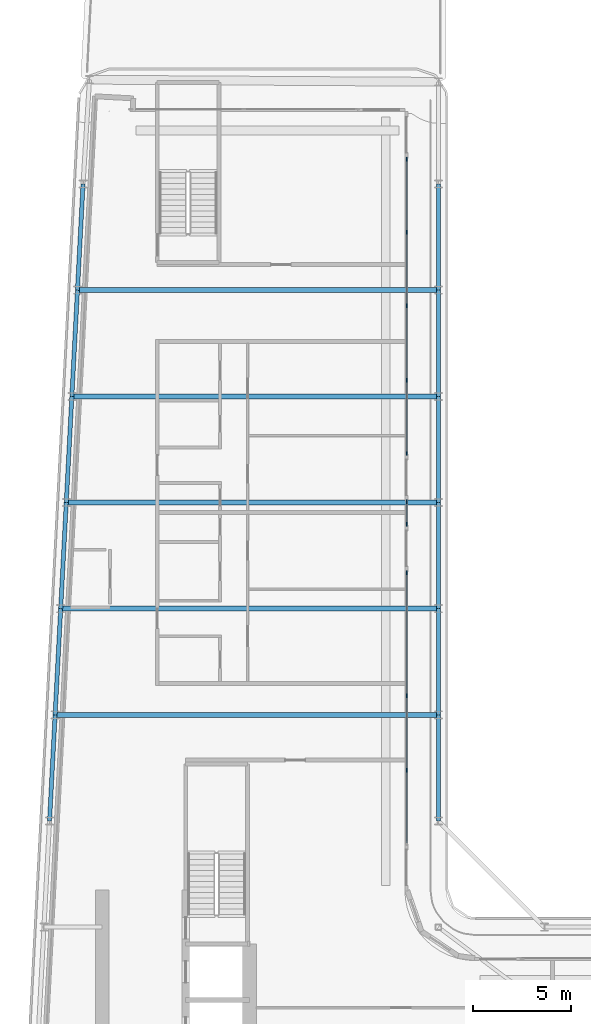
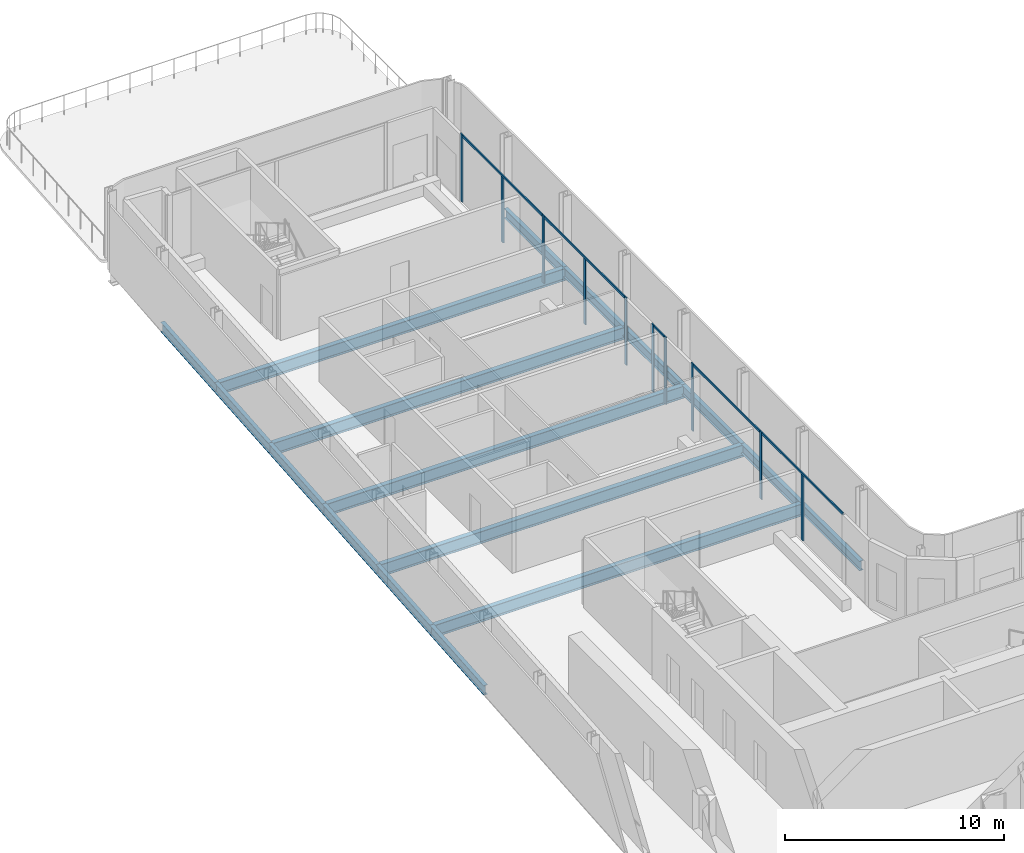
# One storey, part 6 of 22: 17 beams, 15 members, 5 elements without a shape of their own.
"""IFC4 building model written with IfcOpenShell, lengths in metres."""

from ifc_helpers import new_model, si_unit, direction, frame, origin, origin_2d, place, context, subcontext, project, spatial, rectangle, i_section, extrude, material, layer, layer_set, material_profile, profile_set, type_object, element, aggregate, save


model = new_model("IFC4")

# Units and contexts
model_context = context("Model", 3, precision=1e-05, world=origin(), true_north=direction((0.0, 1.0)))
body_context = subcontext(model_context, "Body", "Model", "MODEL_VIEW")
ifc_project = project(units=[si_unit("LENGTHUNIT", "METRE"), si_unit("AREAUNIT", "SQUARE_METRE"), si_unit("VOLUMEUNIT", "CUBIC_METRE"), si_unit("PLANEANGLEUNIT", "RADIAN"), si_unit("MASSUNIT", "GRAM", prefix="KILO")], contexts=[model_context])

# Site, building, storey
site_placement = place(None, origin())
site = spatial("IfcSite", under=ifc_project, at=site_placement, CompositionType="ELEMENT")
building_placement = place(site_placement, origin())
building = spatial("IfcBuilding", under=site, at=building_placement, Name="Kheshtan School and Residences Tower", CompositionType="ELEMENT")
storey_placement = place(building_placement, frame((0.0, 0.0, 216.199951171875)))
storey = spatial("IfcBuildingStorey", under=building, at=storey_placement, Name="L50", CompositionType="ELEMENT", Elevation=216.199951171875)

# Beams
ifc_material_1 = material(Name="Steel ASTM A992 Grade 50", Category="steel")
ifc_material_profile_1 = material_profile(ifc_material_1, i_section(OverallWidth=0.2529296875, OverallDepth=0.677978515625, WebThickness=0.01171875, FlangeThickness=0.016357421875, FilletRadius=0.0146484375, at=origin_2d()), Name="W690x125")
ifc_profile_set_1 = profile_set([ifc_material_profile_1], Name="Steel ASTM A992 Grade 50")
beam_type_1 = type_object("IfcBeamType", Name="Beam FB6 W690x125 ASTM A992 Grade 50", PredefinedType="BEAM", material=ifc_profile_set_1)
beam_1_placement = place(storey_placement, frame((47.60009765625, 72.60009765625, -0.489013671875), z_axis=(-1.0, 0.0, 0.0), x_axis=(0.0, -1.0, 0.0)))
element("IfcBeam", 1, at=beam_1_placement, inside=storey, type_object=beam_type_1, Name="Floor beam C087", PredefinedType="BEAM", context=body_context, shape_type="SweptSolid", body=[
    extrude(i_section(OverallWidth=0.2529296875, OverallDepth=0.677978515625, WebThickness=0.01171875, FlangeThickness=0.016357421875, FilletRadius=0.0146484375, at=origin_2d()), origin(), (0.0, 0.0, 1.0), 18.64208984375),
])
beam_2_placement = place(storey_placement, frame((47.60009765625, 61.800048828125, -0.489013671875), z_axis=(-1.0, 0.0, 0.0), x_axis=(0.0, -1.0, 0.0)))
element("IfcBeam", 2, at=beam_2_placement, inside=storey, type_object=beam_type_1, Name="Floor beam C083", PredefinedType="BEAM", context=body_context, shape_type="SweptSolid", body=[
    extrude(i_section(OverallWidth=0.2529296875, OverallDepth=0.677978515625, WebThickness=0.01171875, FlangeThickness=0.016357421875, FilletRadius=0.0146484375, at=origin_2d()), origin(), (0.0, 0.0, 1.0), 19.210205078125),
])
beam_3_placement = place(storey_placement, frame((28.10595703125, 56.39990234375, -0.489013671875), z_axis=(1.0, 0.0, 0.0), x_axis=(0.0, 1.0, 0.0)))
element("IfcBeam", 3, at=beam_3_placement, inside=storey, type_object=beam_type_1, Name="Floor beam C080", PredefinedType="BEAM", context=body_context, shape_type="SweptSolid", body=[
    extrude(i_section(OverallWidth=0.2529296875, OverallDepth=0.677978515625, WebThickness=0.01171875, FlangeThickness=0.016357421875, FilletRadius=0.0146484375, at=origin_2d()), origin(), (0.0, 0.0, 1.0), 19.494140625),
])
beam_4_placement = place(storey_placement, frame((28.674072265625, 67.199951171875, -0.489013671875), z_axis=(1.0, 0.0, 0.0), x_axis=(0.0, 1.0, 0.0)))
element("IfcBeam", 4, at=beam_4_placement, inside=storey, type_object=beam_type_1, Name="Floor beam C084", PredefinedType="BEAM", context=body_context, shape_type="SweptSolid", body=[
    extrude(i_section(OverallWidth=0.2529296875, OverallDepth=0.677978515625, WebThickness=0.01171875, FlangeThickness=0.016357421875, FilletRadius=0.0146484375, at=origin_2d()), origin(), (0.0, 0.0, 1.0), 18.926025390625),
])
beam_5_placement = place(storey_placement, frame((29.242919921875, 78.0, -0.489013671875), z_axis=(1.0, 0.0, 0.0), x_axis=(0.0, 1.0, 0.0)))
element("IfcBeam", 5, at=beam_5_placement, inside=storey, type_object=beam_type_1, Name="Floor beam C088", PredefinedType="BEAM", context=body_context, shape_type="SweptSolid", body=[
    extrude(i_section(OverallWidth=0.2529296875, OverallDepth=0.677978515625, WebThickness=0.01171875, FlangeThickness=0.016357421875, FilletRadius=0.0146484375, at=origin_2d()), origin(), (0.0, 0.0, 1.0), 18.357177734375),
])
ifc_material_profile_2 = material_profile(ifc_material_1, i_section(OverallWidth=0.208984375, OverallDepth=0.532958984375, WebThickness=0.01025390625, FlangeThickness=0.015625, FilletRadius=0.013916015625, at=origin_2d()), Name="W530x92")
ifc_profile_set_2 = profile_set([ifc_material_profile_2], Name="Steel ASTM A992 Grade 50")
beam_type_2 = type_object("IfcBeamType", Name="Beam SP3 W530x92 ASTM A992 Grade 50", PredefinedType="BEAM", material=ifc_profile_set_2)
for number, where, z_axis, x_axis, name in (
    (6, (47.60009765625, 83.39990234375, -0.41650390625), (0.0, -1.0, 0.0), (1.0, 0.0, 0.0), "Spandrel beam C091-C089"),
    (7, (47.60009765625, 78.0, -0.41650390625), (0.0, -1.0, 0.0), (1.0, 0.0, 0.0), "Spandrel beam C089-C087"),
):
    element("IfcBeam", number, at=place(storey_placement, frame(where, z_axis=z_axis, x_axis=x_axis)), inside=storey, type_object=beam_type_2, Name=name, PredefinedType="BEAM", context=body_context, shape_type="SweptSolid", body=[
        extrude(i_section(OverallWidth=0.208984375, OverallDepth=0.532958984375, WebThickness=0.01025390625, FlangeThickness=0.015625, FilletRadius=0.013916015625, at=origin_2d()), origin(), (0.0, 0.0, 1.0), 5.39990234375),
    ])
beam_6_placement = place(storey_placement, frame((47.60009765625, 72.60009765625, -0.41650390625), z_axis=(0.0, -1.0, 0.0), x_axis=(1.0, 0.0, 0.0)))
element("IfcBeam", 8, at=beam_6_placement, inside=storey, type_object=beam_type_2, Name="Spandrel beam C087-C085", PredefinedType="BEAM", context=body_context, shape_type="SweptSolid", body=[
    extrude(i_section(OverallWidth=0.208984375, OverallDepth=0.532958984375, WebThickness=0.01025390625, FlangeThickness=0.015625, FilletRadius=0.013916015625, at=origin_2d()), origin(), (0.0, 0.0, 1.0), 5.400146484375),
])
beam_7_placement = place(storey_placement, frame((47.60009765625, 67.199951171875, -0.41650390625), z_axis=(0.0, -1.0, 0.0), x_axis=(1.0, 0.0, 0.0)))
element("IfcBeam", 9, at=beam_7_placement, inside=storey, type_object=beam_type_2, Name="Spandrel beam C085-C083", PredefinedType="BEAM", context=body_context, shape_type="SweptSolid", body=[
    extrude(i_section(OverallWidth=0.208984375, OverallDepth=0.532958984375, WebThickness=0.01025390625, FlangeThickness=0.015625, FilletRadius=0.013916015625, at=origin_2d()), origin(), (0.0, 0.0, 1.0), 5.39990234375),
])
beam_8_placement = place(storey_placement, frame((47.60009765625, 61.800048828125, -0.41650390625), z_axis=(0.0, -1.0, 0.0), x_axis=(1.0, 0.0, 0.0)))
element("IfcBeam", 10, at=beam_8_placement, inside=storey, type_object=beam_type_2, Name="Spandrel beam C083-C081", PredefinedType="BEAM", context=body_context, shape_type="SweptSolid", body=[
    extrude(i_section(OverallWidth=0.208984375, OverallDepth=0.532958984375, WebThickness=0.01025390625, FlangeThickness=0.015625, FilletRadius=0.013916015625, at=origin_2d()), origin(), (0.0, 0.0, 1.0), 5.400146484375),
])
beam_9_placement = place(storey_placement, frame((47.60009765625, 56.39990234375, -0.41650390625), z_axis=(0.0, -1.0, 0.0), x_axis=(1.0, 0.0, 0.0)))
element("IfcBeam", 11, at=beam_9_placement, inside=storey, type_object=beam_type_2, Name="Spandrel beam C081-C079", PredefinedType="BEAM", context=body_context, shape_type="SweptSolid", body=[
    extrude(i_section(OverallWidth=0.208984375, OverallDepth=0.532958984375, WebThickness=0.01025390625, FlangeThickness=0.015625, FilletRadius=0.013916015625, at=origin_2d()), origin(), (0.0, 0.0, 1.0), 5.39990234375),
])
beam_10_placement = place(storey_placement, frame((27.822021484375, 51.0, -0.41650390625), z_axis=(0.05250906864, 0.998620447272, 0.0), x_axis=(-0.998620447272, 0.05250906864, 0.0)))
element("IfcBeam", 12, at=beam_10_placement, inside=storey, type_object=beam_type_2, Name="Spandrel beam C078-C080", PredefinedType="BEAM", context=body_context, shape_type="SweptSolid", body=[
    extrude(i_section(OverallWidth=0.208984375, OverallDepth=0.532958984375, WebThickness=0.01025390625, FlangeThickness=0.015625, FilletRadius=0.013916015625, at=origin_2d()), origin(), (0.0, 0.0, 1.0), 5.407470703125),
])
beam_11_placement = place(storey_placement, frame((28.10595703125, 56.39990234375, -0.41650390625), z_axis=(0.05250670125, 0.998620571751, 0.0), x_axis=(-0.998620571751, 0.05250670125, 0.0)))
element("IfcBeam", 13, at=beam_11_placement, inside=storey, type_object=beam_type_2, Name="Spandrel beam C080-C082", PredefinedType="BEAM", context=body_context, shape_type="SweptSolid", body=[
    extrude(i_section(OverallWidth=0.208984375, OverallDepth=0.532958984375, WebThickness=0.01025390625, FlangeThickness=0.015625, FilletRadius=0.013916015625, at=origin_2d()), origin(), (0.0, 0.0, 1.0), 5.40771484375),
])
beam_12_placement = place(storey_placement, frame((28.389892578125, 61.800048828125, -0.41650390625), z_axis=(0.052554093665, 0.998618078766, 0.0), x_axis=(-0.998618078766, 0.052554093665, 0.0)))
element("IfcBeam", 14, at=beam_12_placement, inside=storey, type_object=beam_type_2, Name="Spandrel beam C082-C084", PredefinedType="BEAM", context=body_context, shape_type="SweptSolid", body=[
    extrude(i_section(OverallWidth=0.208984375, OverallDepth=0.532958984375, WebThickness=0.01025390625, FlangeThickness=0.015625, FilletRadius=0.013916015625, at=origin_2d()), origin(), (0.0, 0.0, 1.0), 5.407470703125),
])
beam_13_placement = place(storey_placement, frame((28.674072265625, 67.199951171875, -0.41650390625), z_axis=(0.05250670125, 0.998620571751, 0.0), x_axis=(-0.998620571751, 0.05250670125, 0.0)))
element("IfcBeam", 15, at=beam_13_placement, inside=storey, type_object=beam_type_2, Name="Spandrel beam C084-C086", PredefinedType="BEAM", context=body_context, shape_type="SweptSolid", body=[
    extrude(i_section(OverallWidth=0.208984375, OverallDepth=0.532958984375, WebThickness=0.01025390625, FlangeThickness=0.015625, FilletRadius=0.013916015625, at=origin_2d()), origin(), (0.0, 0.0, 1.0), 5.40771484375),
])
for number, where, z_axis, x_axis, name in (
    (16, (28.9580078125, 72.60009765625, -0.41650390625), (0.052689166816, 0.998610961136, 0.0), (-0.998610961136, 0.052689166816, 0.0), "Spandrel beam C086-C088"),
    (17, (29.242919921875, 78.0, -0.41650390625), (0.052554093665, 0.998618078766, 0.0), (-0.998618078766, 0.052554093665, 0.0), "Spandrel beam C088-C090"),
):
    element("IfcBeam", number, at=place(storey_placement, frame(where, z_axis=z_axis, x_axis=x_axis)), inside=storey, type_object=beam_type_2, Name=name, PredefinedType="BEAM", context=body_context, shape_type="SweptSolid", body=[
        extrude(i_section(OverallWidth=0.208984375, OverallDepth=0.532958984375, WebThickness=0.01025390625, FlangeThickness=0.015625, FilletRadius=0.013916015625, at=origin_2d()), origin(), (0.0, 0.0, 1.0), 5.407470703125),
    ])

# Curtain wall, members
ifc_material_2 = material(Name="Clear low-e glass in thermally broken aluminium frame", Category="aluminium")
ifc_layer = layer(ifc_material_2, 0.199951171875)
ifc_layer_set = layer_set([ifc_layer], Name="Curtain wall CW-L")
curtain_wall_type = type_object("IfcCurtainWallType", Name="Curtain wall CW-L", PredefinedType="NOTDEFINED", material=ifc_layer_set)
curtain_wall_1_placement = place(storey_placement, origin())
curtain_wall_1 = element("IfcCurtainWall", 18, at=curtain_wall_1_placement, inside=storey, type_object=curtain_wall_type, Name="Curtain wall CWL4a", PredefinedType="NOTDEFINED")
ifc_material_3 = material(Name="Thermally broken aluminium, dark bronze anodised", Category="aluminium")
ifc_material_profile_3 = material_profile(ifc_material_3, rectangle(XDim=0.06005859375, YDim=0.199951171875, at=origin_2d()), Name="CW-L mullion 60x200")
ifc_profile_set_3 = profile_set([ifc_material_profile_3], Name="Thermally broken aluminium, dark bronze anodised")
member_type_1 = type_object("IfcMemberType", Name="CW-L mullion 60x200", PredefinedType="MULLION", material=ifc_profile_set_3)
member_1_placement = place(storey_placement, frame((46.0, 84.669921875, 0.0), z_axis=(0.0, 0.0, 1.0), x_axis=(1.0, 0.0, 0.0)))
member_1 = element("IfcMember", 19, at=member_1_placement, type_object=member_type_1, Name="CWL4a mullion 1", PredefinedType="MULLION", context=body_context, shape_type="SweptSolid", body=[
    extrude(rectangle(XDim=0.06005859375, YDim=0.199951171875, at=origin_2d()), origin(), (0.0, 0.0, 1.0), 3.75),
])
member_2_placement = place(storey_placement, frame((46.0, 80.941162109375, 0.0), z_axis=(0.0, 0.0, 1.0), x_axis=(1.0, 0.0, 0.0)))
member_2 = element("IfcMember", 20, at=member_2_placement, type_object=member_type_1, Name="CWL4a mullion 2", PredefinedType="MULLION", context=body_context, shape_type="SweptSolid", body=[
    extrude(rectangle(XDim=0.06005859375, YDim=0.199951171875, at=origin_2d()), origin(), (0.0, 0.0, 1.0), 3.630126953125),
])
member_3_placement = place(storey_placement, frame((46.0, 77.21240234375, 0.0), z_axis=(0.0, 0.0, 1.0), x_axis=(1.0, 0.0, 0.0)))
member_3 = element("IfcMember", 21, at=member_3_placement, type_object=member_type_1, Name="CWL4a mullion 3", PredefinedType="MULLION", context=body_context, shape_type="SweptSolid", body=[
    extrude(rectangle(XDim=0.06005859375, YDim=0.199951171875, at=origin_2d()), origin(), (0.0, 0.0, 1.0), 3.75),
])

curtain_wall_2_placement = place(storey_placement, origin())
curtain_wall_2 = element("IfcCurtainWall", 22, at=curtain_wall_2_placement, inside=storey, type_object=curtain_wall_type, Name="Curtain wall CWL4a", PredefinedType="NOTDEFINED")
member_4_placement = place(storey_placement, frame((46.0, 73.423828125, 0.0), z_axis=(0.0, 0.0, 1.0), x_axis=(1.0, 0.0, 0.0)))
member_4 = element("IfcMember", 23, at=member_4_placement, type_object=member_type_1, Name="CWL4a mullion 2", PredefinedType="MULLION", context=body_context, shape_type="SweptSolid", body=[
    extrude(rectangle(XDim=0.06005859375, YDim=0.199951171875, at=origin_2d()), origin(), (0.0, 0.0, 1.0), 3.630126953125),
])
member_5_placement = place(storey_placement, frame((46.0, 69.695068359375, 0.0), z_axis=(0.0, 0.0, 1.0), x_axis=(1.0, 0.0, 0.0)))
member_5 = element("IfcMember", 24, at=member_5_placement, type_object=member_type_1, Name="CWL4a mullion 3", PredefinedType="MULLION", context=body_context, shape_type="SweptSolid", body=[
    extrude(rectangle(XDim=0.06005859375, YDim=0.199951171875, at=origin_2d()), origin(), (0.0, 0.0, 1.0), 3.75),
])

curtain_wall_3_placement = place(storey_placement, origin())
curtain_wall_3 = element("IfcCurtainWall", 25, at=curtain_wall_3_placement, inside=storey, type_object=curtain_wall_type, Name="Curtain wall CWL4h", PredefinedType="NOTDEFINED")
member_6_placement = place(storey_placement, frame((46.0, 67.235107421875, 0.0), z_axis=(0.0, 0.0, 1.0), x_axis=(1.0, 0.0, 0.0)))
member_6 = element("IfcMember", 26, at=member_6_placement, type_object=member_type_1, Name="CWL4h mullion 1", PredefinedType="MULLION", context=body_context, shape_type="SweptSolid", body=[
    extrude(rectangle(XDim=0.06005859375, YDim=0.199951171875, at=origin_2d()), origin(), (0.0, 0.0, 1.0), 3.75),
])
member_7_placement = place(storey_placement, frame((46.0, 66.094970703125, 0.0), z_axis=(0.0, 0.0, 1.0), x_axis=(1.0, 0.0, 0.0)))
member_7 = element("IfcMember", 27, at=member_7_placement, type_object=member_type_1, Name="CWL4h mullion 2", PredefinedType="MULLION", context=body_context, shape_type="SweptSolid", body=[
    extrude(rectangle(XDim=0.06005859375, YDim=0.199951171875, at=origin_2d()), origin(), (0.0, 0.0, 1.0), 3.75),
])

curtain_wall_4_placement = place(storey_placement, origin())
curtain_wall_4 = element("IfcCurtainWall", 28, at=curtain_wall_4_placement, inside=storey, type_object=curtain_wall_type, Name="Curtain wall CWL4i", PredefinedType="NOTDEFINED")
member_8_placement = place(storey_placement, frame((46.0, 63.635009765625, 0.0), z_axis=(0.0, 0.0, 1.0), x_axis=(1.0, 0.0, 0.0)))
member_8 = element("IfcMember", 29, at=member_8_placement, type_object=member_type_1, Name="CWL4i mullion 1", PredefinedType="MULLION", context=body_context, shape_type="SweptSolid", body=[
    extrude(rectangle(XDim=0.06005859375, YDim=0.199951171875, at=origin_2d()), origin(), (0.0, 0.0, 1.0), 3.75),
])
member_9_placement = place(storey_placement, frame((46.0, 57.37744140625, 0.0), z_axis=(0.0, 0.0, 1.0), x_axis=(1.0, 0.0, 0.0)))
member_9 = element("IfcMember", 30, at=member_9_placement, type_object=member_type_1, Name="CWL4i mullion 2", PredefinedType="MULLION", context=body_context, shape_type="SweptSolid", body=[
    extrude(rectangle(XDim=0.06005859375, YDim=0.199951171875, at=origin_2d()), origin(), (0.0, 0.0, 1.0), 3.75),
])

# Curtain wall, member
curtain_wall_5_placement = place(storey_placement, origin())
curtain_wall_5 = element("IfcCurtainWall", 31, at=curtain_wall_5_placement, inside=storey, type_object=curtain_wall_type, Name="Curtain wall CWL4a", PredefinedType="NOTDEFINED")
member_10_placement = place(storey_placement, frame((46.0, 53.5888671875, 0.0), z_axis=(0.0, 0.0, 1.0), x_axis=(1.0, 0.0, 0.0)))
member_10 = element("IfcMember", 32, at=member_10_placement, type_object=member_type_1, Name="CWL4a mullion 2", PredefinedType="MULLION", context=body_context, shape_type="SweptSolid", body=[
    extrude(rectangle(XDim=0.06005859375, YDim=0.199951171875, at=origin_2d()), origin(), (0.0, 0.0, 1.0), 3.630126953125),
])

# Member
ifc_material_profile_4 = material_profile(ifc_material_3, rectangle(XDim=0.06005859375, YDim=0.1201171875, at=origin_2d()), Name="CW-L transom 60x120")
ifc_profile_set_4 = profile_set([ifc_material_profile_4], Name="Thermally broken aluminium, dark bronze anodised")
member_type_2 = type_object("IfcMemberType", Name="CW-L transom 60x120", PredefinedType="USERDEFINED", material=ifc_profile_set_4)
member_11_placement = place(storey_placement, frame((46.0, 84.639892578125, 3.68994140625), z_axis=(0.0, -1.0, 0.0), x_axis=(1.0, 0.0, 0.0)))
member_11 = element("IfcMember", 33, at=member_11_placement, type_object=member_type_2, Name="CWL4a transom 1", ObjectType="TRANSOM", PredefinedType="USERDEFINED", context=body_context, shape_type="SweptSolid", body=[
    extrude(rectangle(XDim=0.06005859375, YDim=0.1201171875, at=origin_2d()), origin(), (0.0, 0.0, 1.0), 7.3974609375),
])

aggregate(curtain_wall_1, [member_1, member_2, member_3, member_11])

member_12_placement = place(storey_placement, frame((46.0, 77.1826171875, 3.68994140625), z_axis=(0.0, -1.0, 0.0), x_axis=(1.0, 0.0, 0.0)))
member_12 = element("IfcMember", 34, at=member_12_placement, type_object=member_type_2, Name="CWL4a transom 1", ObjectType="TRANSOM", PredefinedType="USERDEFINED", context=body_context, shape_type="SweptSolid", body=[
    extrude(rectangle(XDim=0.06005859375, YDim=0.1201171875, at=origin_2d()), origin(), (0.0, 0.0, 1.0), 7.45751953125),
])

aggregate(curtain_wall_2, [member_4, member_5, member_12])

member_13_placement = place(storey_placement, frame((46.0, 67.205078125, 3.68994140625), z_axis=(0.0, -1.0, 0.0), x_axis=(1.0, 0.0, 0.0)))
member_13 = element("IfcMember", 35, at=member_13_placement, type_object=member_type_2, Name="CWL4h transom 1", ObjectType="TRANSOM", PredefinedType="USERDEFINED", context=body_context, shape_type="SweptSolid", body=[
    extrude(rectangle(XDim=0.06005859375, YDim=0.1201171875, at=origin_2d()), origin(), (0.0, 0.0, 1.0), 1.080078125),
])

aggregate(curtain_wall_3, [member_6, member_7, member_13])

member_14_placement = place(storey_placement, frame((46.0, 63.60498046875, 3.68994140625), z_axis=(0.0, -1.0, 0.0), x_axis=(1.0, 0.0, 0.0)))
member_14 = element("IfcMember", 36, at=member_14_placement, type_object=member_type_2, Name="CWL4i transom 1", ObjectType="TRANSOM", PredefinedType="USERDEFINED", context=body_context, shape_type="SweptSolid", body=[
    extrude(rectangle(XDim=0.06005859375, YDim=0.1201171875, at=origin_2d()), origin(), (0.0, 0.0, 1.0), 6.197509765625),
])

aggregate(curtain_wall_4, [member_8, member_9, member_14])

member_15_placement = place(storey_placement, frame((46.0, 57.347412109375, 3.68994140625), z_axis=(0.0, -1.0, 0.0), x_axis=(1.0, 0.0, 0.0)))
member_15 = element("IfcMember", 37, at=member_15_placement, type_object=member_type_2, Name="CWL4a transom 1", ObjectType="TRANSOM", PredefinedType="USERDEFINED", context=body_context, shape_type="SweptSolid", body=[
    extrude(rectangle(XDim=0.06005859375, YDim=0.1201171875, at=origin_2d()), origin(), (0.0, 0.0, 1.0), 7.45751953125),
])

aggregate(curtain_wall_5, [member_10, member_15])

save(model, "model.ifc")
